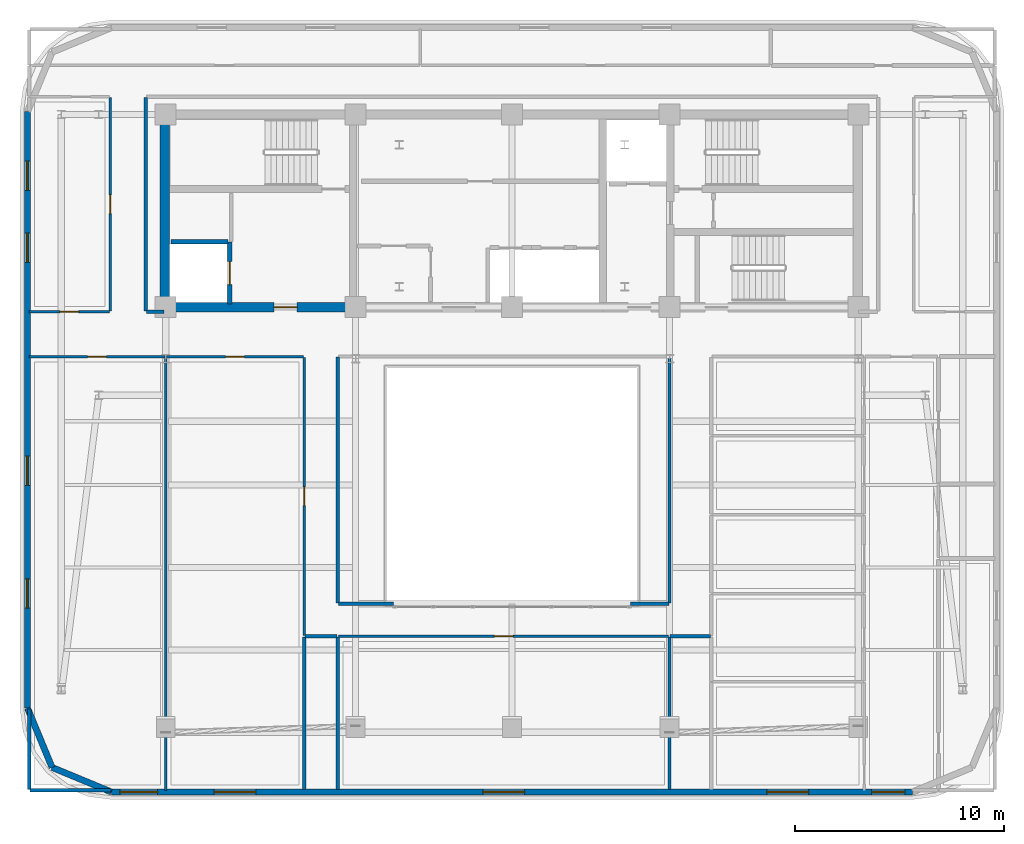
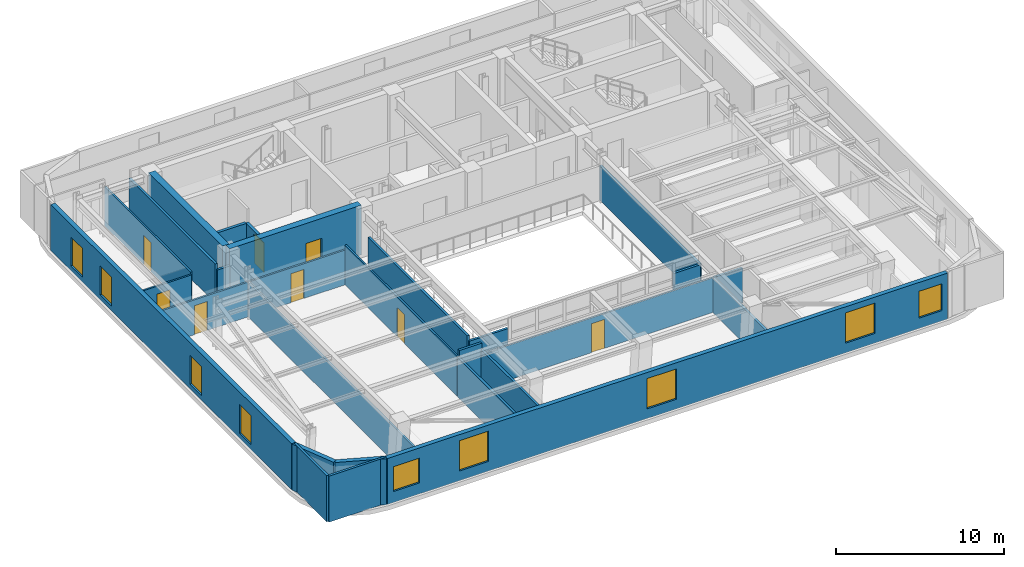
# One storey, part 6 of 13: 28 walls, 9 windows, 8 doors, 17 openings.
"""IFC4 building model written with IfcOpenShell, lengths in metres."""

from ifc_helpers import new_model, si_unit, direction, frame, frame_2d, origin, place, context, subcontext, project, spatial, rectangle, extrude, material, layer, layer_set, type_object, element, fill, save


model = new_model("IFC4")

# Units and contexts
model_context = context("Model", 3, precision=1e-05, world=origin(), true_north=direction((0.0, 1.0)))
body_context = subcontext(model_context, "Body", "Model", "MODEL_VIEW")
ifc_project = project(units=[si_unit("LENGTHUNIT", "METRE"), si_unit("AREAUNIT", "SQUARE_METRE"), si_unit("VOLUMEUNIT", "CUBIC_METRE"), si_unit("PLANEANGLEUNIT", "RADIAN"), si_unit("MASSUNIT", "GRAM", prefix="KILO")], contexts=[model_context])

# Site, building, storey
site_placement = place(None, origin())
site = spatial("IfcSite", under=ifc_project, at=site_placement, CompositionType="ELEMENT")
building_placement = place(site_placement, origin())
building = spatial("IfcBuilding", under=site, at=building_placement, Name="Zarnavel Station Tower", CompositionType="ELEMENT")
storey_placement = place(building_placement, frame((0.0, 0.0, 204.0)))
storey = spatial("IfcBuildingStorey", under=building, at=storey_placement, Name="L55", CompositionType="ELEMENT", Elevation=204.0)

# Wall, opening, door
ifc_material_1 = material(Name="Concrete C50/60", Category="concrete")
ifc_layer_1 = layer(ifc_material_1, 0.449951171875)
ifc_layer_set_1 = layer_set([ifc_layer_1], Name="CW_450")
wall_type_1 = type_object("IfcWallType", Name="CW_450", PredefinedType="SHEAR", material=ifc_layer_set_1)
wall_1_placement = place(storey_placement, frame((21.179931640625, 27.820068359375, 0.0), z_axis=(0.0, 0.0, 1.0), x_axis=(-1.0, 0.0, 0.0)))
wall_1 = element("IfcWall", 1, at=wall_1_placement, inside=storey, type_object=wall_type_1, Name="L55 Rear Core Shear Wall S-W", PredefinedType="SHEAR", context=body_context, shape_type="SweptSolid", body=[
    extrude(rectangle(XDim=9.030029296875, YDim=0.449951171875, at=frame_2d((4.51513671875, 0.0))), origin(), (0.0, 0.0, 1.0), 3.60009765625),
])
opening_1_placement = place(wall_1_placement, frame((2.679931640625, 0.0, 0.0)))
opening_1 = element("IfcOpeningElement", 2, at=opening_1_placement, cuts=wall_1, Name="Opening FD01", PredefinedType="OPENING", context=body_context, shape_type="SweptSolid", body=[
    extrude(rectangle(XDim=1.10009765625, YDim=2.14990234375, at=frame_2d((0.550048828125, 1.074951171875))), frame((0.0, 0.23486328125, 0.0), z_axis=(0.0, -1.0, 0.0), x_axis=(1.0, 0.0, 0.0)), (0.0, 0.0, 1.0), 0.469970703125),
])
ifc_material_2 = material(Name="Painted Galvanised Steel and Hardwood Leaf", Category="steel")
door_type_1 = type_object("IfcDoorType", Name="ID_STAIR_1100", OperationType="NOTDEFINED", PredefinedType="DOOR", material=ifc_material_2)
door_1_placement = place(opening_1_placement, origin())
door_1 = element("IfcDoor", 3, at=door_1_placement, inside=storey, type_object=door_type_1, Name="L55 West Firefighting Lobby Door", OperationType="SINGLE_SWING_RIGHT", OverallHeight=2.14990234375, OverallWidth=1.10009765625, PredefinedType="DOOR", context=body_context, shape_type="SweptSolid", body=[
    extrude(rectangle(XDim=1.10009765625, YDim=2.14990234375, at=frame_2d((0.550048828125, 1.074951171875))), frame((0.0, 0.02490234375, 0.0), z_axis=(0.0, -1.0, 0.0), x_axis=(1.0, 0.0, 0.0)), (0.0, 0.0, 1.0), 0.050048828125),
])
fill(opening_1, door_1)

# Wall
wall_2_placement = place(storey_placement, frame((12.14990234375, 28.044921875, 0.0), z_axis=(0.0, 0.0, 1.0), x_axis=(0.0, 1.0, 0.0)))
element("IfcWall", 4, at=wall_2_placement, inside=storey, type_object=wall_type_1, Name="L55 Rear Core Shear Wall W", PredefinedType="SHEAR", context=body_context, shape_type="SweptSolid", body=[
    extrude(rectangle(XDim=8.780029296875, YDim=0.449951171875, at=frame_2d((4.39013671875, 0.0))), origin(), (0.0, 0.0, 1.0), 3.60009765625),
])

# Wall, openings, windows
ifc_material_3 = material(Name="Precast concrete C45/55 (Dark Basalt Finish)", Category="masonry")
ifc_layer_2 = layer(ifc_material_3, 0.300048828125)
ifc_layer_set_2 = layer_set([ifc_layer_2], Name="EW_BASALT_300")
wall_type_2 = type_object("IfcWallType", Name="EW_BASALT_300", PredefinedType="SOLIDWALL", material=ifc_layer_set_2)
wall_3_placement = place(storey_placement, frame((5.580078125, 8.60009765625, 0.0), z_axis=(0.0, 0.0, 1.0), x_axis=(0.0, 1.0, 0.0)))
wall_3 = element("IfcWall", 5, at=wall_3_placement, inside=storey, type_object=wall_type_2, Name="L55 Exterior Basalt Masonry Frame Wall 09", PredefinedType="SOLIDWALL", context=body_context, shape_type="SweptSolid", body=[
    extrude(rectangle(XDim=28.599853515625, YDim=0.300048828125, at=frame_2d((14.2998046875, 0.0))), origin(), (0.0, 0.0, 1.0), 3.340087890625),
])
opening_2_placement = place(wall_3_placement, frame((21.360107421875, 0.0, 0.340087890625)))
opening_2 = element("IfcOpeningElement", 6, at=opening_2_placement, cuts=wall_3, Name="Opening WN04", PredefinedType="OPENING", context=body_context, shape_type="SweptSolid", body=[
    extrude(rectangle(XDim=1.39990234375, YDim=2.10009765625, at=frame_2d((0.699951171875, 1.050048828125))), frame((0.0, 0.159912109375, 0.0), z_axis=(0.0, -1.0, 0.0), x_axis=(1.0, 0.0, 0.0)), (0.0, 0.0, 1.0), 0.320068359375),
])
opening_3_placement = place(wall_3_placement, frame((24.820068359375, 0.0, 0.340087890625)))
opening_3 = element("IfcOpeningElement", 7, at=opening_3_placement, cuts=wall_3, Name="Opening WN04", PredefinedType="OPENING", context=body_context, shape_type="SweptSolid", body=[
    extrude(rectangle(XDim=1.39990234375, YDim=2.10009765625, at=frame_2d((0.699951171875, 1.050048828125))), frame((0.0, 0.159912109375, 0.0), z_axis=(0.0, -1.0, 0.0), x_axis=(1.0, 0.0, 0.0)), (0.0, 0.0, 1.0), 0.320068359375),
])
opening_4_placement = place(wall_3_placement, frame((4.796630859375, 0.0, 0.340087890625)))
opening_4 = element("IfcOpeningElement", 8, at=opening_4_placement, cuts=wall_3, Name="Opening WN04", PredefinedType="OPENING", context=body_context, shape_type="SweptSolid", body=[
    extrude(rectangle(XDim=1.39990234375, YDim=2.10009765625, at=frame_2d((0.699951171875, 1.050048828125))), frame((0.0, 0.159912109375, 0.0), z_axis=(0.0, -1.0, 0.0), x_axis=(1.0, 0.0, 0.0)), (0.0, 0.0, 1.0), 0.320068359375),
])
opening_5_placement = place(wall_3_placement, frame((10.67333984375, 0.0, 0.340087890625)))
opening_5 = element("IfcOpeningElement", 9, at=opening_5_placement, cuts=wall_3, Name="Opening WN04", PredefinedType="OPENING", context=body_context, shape_type="SweptSolid", body=[
    extrude(rectangle(XDim=1.39990234375, YDim=2.10009765625, at=frame_2d((0.699951171875, 1.050048828125))), frame((0.0, 0.159912109375, 0.0), z_axis=(0.0, -1.0, 0.0), x_axis=(1.0, 0.0, 0.0)), (0.0, 0.0, 1.0), 0.320068359375),
])
ifc_material_4 = material(Name="Thermally Broken Black Aluminium and Low-E Dark Glass", Category="aluminium")
window_type_1 = type_object("IfcWindowType", Name="WN_1400x2100", PartitioningType="DOUBLE_PANEL_VERTICAL", PredefinedType="WINDOW", material=ifc_material_4)
window_1_placement = place(opening_2_placement, origin())
window_1 = element("IfcWindow", 10, at=window_1_placement, inside=storey, type_object=window_type_1, Name="L55 Recessed Facade Window 01", OverallHeight=2.10009765625, OverallWidth=1.39990234375, PartitioningType="SINGLE_PANEL", PredefinedType="WINDOW", context=body_context, shape_type="SweptSolid", body=[
    extrude(rectangle(XDim=1.39990234375, YDim=2.10009765625, at=frame_2d((0.699951171875, 1.050048828125))), frame((0.0, 0.030029296875, 0.0), z_axis=(0.0, -1.0, 0.0), x_axis=(1.0, 0.0, 0.0)), (0.0, 0.0, 1.0), 0.06005859375),
])
fill(opening_2, window_1)
window_2_placement = place(opening_3_placement, origin())
window_2 = element("IfcWindow", 11, at=window_2_placement, inside=storey, type_object=window_type_1, Name="L55 Recessed Facade Window 02", OverallHeight=2.10009765625, OverallWidth=1.39990234375, PartitioningType="SINGLE_PANEL", PredefinedType="WINDOW", context=body_context, shape_type="SweptSolid", body=[
    extrude(rectangle(XDim=1.39990234375, YDim=2.10009765625, at=frame_2d((0.699951171875, 1.050048828125))), frame((0.0, 0.030029296875, 0.0), z_axis=(0.0, -1.0, 0.0), x_axis=(1.0, 0.0, 0.0)), (0.0, 0.0, 1.0), 0.06005859375),
])
fill(opening_3, window_2)
window_3_placement = place(opening_4_placement, origin())
window_3 = element("IfcWindow", 12, at=window_3_placement, inside=storey, type_object=window_type_1, Name="L55 Recessed Facade Window 03", OverallHeight=2.10009765625, OverallWidth=1.39990234375, PartitioningType="SINGLE_PANEL", PredefinedType="WINDOW", context=body_context, shape_type="SweptSolid", body=[
    extrude(rectangle(XDim=1.39990234375, YDim=2.10009765625, at=frame_2d((0.699951171875, 1.050048828125))), frame((0.0, 0.030029296875, 0.0), z_axis=(0.0, -1.0, 0.0), x_axis=(1.0, 0.0, 0.0)), (0.0, 0.0, 1.0), 0.06005859375),
])
fill(opening_4, window_3)
window_4_placement = place(opening_5_placement, origin())
window_4 = element("IfcWindow", 13, at=window_4_placement, inside=storey, type_object=window_type_1, Name="L55 Recessed Facade Window 04", OverallHeight=2.10009765625, OverallWidth=1.39990234375, PartitioningType="SINGLE_PANEL", PredefinedType="WINDOW", context=body_context, shape_type="SweptSolid", body=[
    extrude(rectangle(XDim=1.39990234375, YDim=2.10009765625, at=frame_2d((0.699951171875, 1.050048828125))), frame((0.0, 0.030029296875, 0.0), z_axis=(0.0, -1.0, 0.0), x_axis=(1.0, 0.0, 0.0)), (0.0, 0.0, 1.0), 0.06005859375),
])
fill(opening_5, window_4)

# Walls
for number, where, z_axis, x_axis, name in (
    (14, (6.75732421875, 5.75732421875, 0.0), (0.0, 0.0, 1.0), (-0.382608747773, 0.923910464346, 0.0), "L55 Exterior Basalt Masonry Frame Wall 10"),
    (15, (9.60009765625, 4.580078125, 0.0), (0.0, 0.0, 1.0), (-0.923910464346, 0.382608747773, 0.0), "L55 Exterior Basalt Masonry Frame Wall 11"),
):
    element("IfcWall", number, at=place(storey_placement, frame(where, z_axis=z_axis, x_axis=x_axis)), inside=storey, type_object=wall_type_2, Name=name, PredefinedType="SOLIDWALL", context=body_context, shape_type="SweptSolid", body=[
        extrude(rectangle(XDim=3.076904296875, YDim=0.300048828125, at=frame_2d((1.53857421875, 0.0))), origin(), (0.0, 0.0, 1.0), 3.340087890625),
    ])

# Wall, openings, windows
wall_4_placement = place(storey_placement, frame((48.0, 4.580078125, 0.0), z_axis=(0.0, 0.0, 1.0), x_axis=(-1.0, 0.0, 0.0)))
wall_4 = element("IfcWall", 16, at=wall_4_placement, inside=storey, type_object=wall_type_2, Name="L55 Exterior Basalt Masonry Frame Wall 12", PredefinedType="SOLIDWALL", context=body_context, shape_type="SweptSolid", body=[
    extrude(rectangle(XDim=38.39990234375, YDim=0.300048828125, at=frame_2d((19.199951171875, 0.0))), origin(), (0.0, 0.0, 1.0), 3.340087890625),
])
opening_6_placement = place(wall_4_placement, frame((36.18994140625, 0.0, 0.800048828125)))
opening_6 = element("IfcOpeningElement", 17, at=opening_6_placement, cuts=wall_4, Name="Opening WN02", PredefinedType="OPENING", context=body_context, shape_type="SweptSolid", body=[
    extrude(rectangle(XDim=1.800048828125, YDim=1.800048828125, at=frame_2d((0.89990234375, 0.89990234375))), frame((0.0, 0.159912109375, 0.0), z_axis=(0.0, -1.0, 0.0), x_axis=(1.0, 0.0, 0.0)), (0.0, 0.0, 1.0), 0.320068359375),
])
opening_7_placement = place(wall_4_placement, frame((31.47509765625, 0.0, 0.699951171875)))
opening_7 = element("IfcOpeningElement", 18, at=opening_7_placement, cuts=wall_4, Name="Opening WN07", PredefinedType="OPENING", context=body_context, shape_type="SweptSolid", body=[
    extrude(rectangle(XDim=2.0, YDim=2.199951171875, at=frame_2d((1.0, 1.10009765625))), frame((0.0, 0.159912109375, 0.0), z_axis=(0.0, -1.0, 0.0), x_axis=(1.0, 0.0, 0.0)), (0.0, 0.0, 1.0), 0.320068359375),
])
opening_8_placement = place(wall_4_placement, frame((18.60009765625, 0.0, 0.699951171875)))
opening_8 = element("IfcOpeningElement", 19, at=opening_8_placement, cuts=wall_4, Name="Opening WN07", PredefinedType="OPENING", context=body_context, shape_type="SweptSolid", body=[
    extrude(rectangle(XDim=2.0, YDim=2.199951171875, at=frame_2d((1.0, 1.10009765625))), frame((0.0, 0.159912109375, 0.0), z_axis=(0.0, -1.0, 0.0), x_axis=(1.0, 0.0, 0.0)), (0.0, 0.0, 1.0), 0.320068359375),
])
opening_9_placement = place(wall_4_placement, frame((0.369384765625, 0.0, 0.75)))
opening_9 = element("IfcOpeningElement", 20, at=opening_9_placement, cuts=wall_4, Name="Opening WN06", PredefinedType="OPENING", context=body_context, shape_type="SweptSolid", body=[
    extrude(rectangle(XDim=1.60009765625, YDim=1.949951171875, at=frame_2d((0.800048828125, 0.97509765625))), frame((0.0, 0.159912109375, 0.0), z_axis=(0.0, -1.0, 0.0), x_axis=(1.0, 0.0, 0.0)), (0.0, 0.0, 1.0), 0.320068359375),
])
opening_10_placement = place(wall_4_placement, frame((4.984619140625, 0.0, 0.699951171875)))
opening_10 = element("IfcOpeningElement", 21, at=opening_10_placement, cuts=wall_4, Name="Opening WN07", PredefinedType="OPENING", context=body_context, shape_type="SweptSolid", body=[
    extrude(rectangle(XDim=2.0, YDim=2.199951171875, at=frame_2d((1.0, 1.10009765625))), frame((0.0, 0.159912109375, 0.0), z_axis=(0.0, -1.0, 0.0), x_axis=(1.0, 0.0, 0.0)), (0.0, 0.0, 1.0), 0.320068359375),
])
ifc_material_5 = material(Name="Thermally Broken Black Aluminium and Low-E Dark Glass", Category="aluminium")
window_type_2 = type_object("IfcWindowType", Name="WN_1600x1950", PartitioningType="DOUBLE_PANEL_VERTICAL", PredefinedType="WINDOW", material=ifc_material_5)
window_5_placement = place(opening_9_placement, origin())
window_5 = element("IfcWindow", 22, at=window_5_placement, inside=storey, type_object=window_type_2, Name="L55 Recessed Facade Window 04", OverallHeight=1.949951171875, OverallWidth=1.60009765625, PartitioningType="SINGLE_PANEL", PredefinedType="WINDOW", context=body_context, shape_type="SweptSolid", body=[
    extrude(rectangle(XDim=1.60009765625, YDim=1.949951171875, at=frame_2d((0.800048828125, 0.97509765625))), frame((0.0, 0.030029296875, 0.0), z_axis=(0.0, -1.0, 0.0), x_axis=(1.0, 0.0, 0.0)), (0.0, 0.0, 1.0), 0.06005859375),
])
fill(opening_9, window_5)
ifc_material_6 = material(Name="Thermally Broken Black Aluminium and Low-E Dark Glass", Category="aluminium")
window_type_3 = type_object("IfcWindowType", Name="WN_1800x1800", PartitioningType="DOUBLE_PANEL_VERTICAL", PredefinedType="WINDOW", material=ifc_material_6)
window_6_placement = place(opening_6_placement, origin())
window_6 = element("IfcWindow", 23, at=window_6_placement, inside=storey, type_object=window_type_3, Name="L55 Recessed Facade Window 01", OverallHeight=1.800048828125, OverallWidth=1.800048828125, PartitioningType="SINGLE_PANEL", PredefinedType="WINDOW", context=body_context, shape_type="SweptSolid", body=[
    extrude(rectangle(XDim=1.800048828125, YDim=1.800048828125, at=frame_2d((0.89990234375, 0.89990234375))), frame((0.0, 0.030029296875, 0.0), z_axis=(0.0, -1.0, 0.0), x_axis=(1.0, 0.0, 0.0)), (0.0, 0.0, 1.0), 0.06005859375),
])
fill(opening_6, window_6)
ifc_material_7 = material(Name="Thermally Broken Black Aluminium and Low-E Dark Glass", Category="aluminium")
window_type_4 = type_object("IfcWindowType", Name="WN_2000x2200", PartitioningType="TRIPLE_PANEL_VERTICAL", PredefinedType="WINDOW", material=ifc_material_7)
window_7_placement = place(opening_7_placement, origin())
window_7 = element("IfcWindow", 24, at=window_7_placement, inside=storey, type_object=window_type_4, Name="L55 Recessed Facade Window 02", OverallHeight=2.199951171875, OverallWidth=2.0, PartitioningType="SINGLE_PANEL", PredefinedType="WINDOW", context=body_context, shape_type="SweptSolid", body=[
    extrude(rectangle(XDim=2.0, YDim=2.199951171875, at=frame_2d((1.0, 1.10009765625))), frame((0.0, 0.030029296875, 0.0), z_axis=(0.0, -1.0, 0.0), x_axis=(1.0, 0.0, 0.0)), (0.0, 0.0, 1.0), 0.06005859375),
])
fill(opening_7, window_7)
window_8_placement = place(opening_8_placement, origin())
window_8 = element("IfcWindow", 25, at=window_8_placement, inside=storey, type_object=window_type_4, Name="L55 Recessed Facade Window 03", OverallHeight=2.199951171875, OverallWidth=2.0, PartitioningType="SINGLE_PANEL", PredefinedType="WINDOW", context=body_context, shape_type="SweptSolid", body=[
    extrude(rectangle(XDim=2.0, YDim=2.199951171875, at=frame_2d((1.0, 1.10009765625))), frame((0.0, 0.030029296875, 0.0), z_axis=(0.0, -1.0, 0.0), x_axis=(1.0, 0.0, 0.0)), (0.0, 0.0, 1.0), 0.06005859375),
])
fill(opening_8, window_8)
window_9_placement = place(opening_10_placement, origin())
window_9 = element("IfcWindow", 26, at=window_9_placement, inside=storey, type_object=window_type_4, Name="L55 Recessed Facade Window 05", OverallHeight=2.199951171875, OverallWidth=2.0, PartitioningType="SINGLE_PANEL", PredefinedType="WINDOW", context=body_context, shape_type="SweptSolid", body=[
    extrude(rectangle(XDim=2.0, YDim=2.199951171875, at=frame_2d((1.0, 1.10009765625))), frame((0.0, 0.030029296875, 0.0), z_axis=(0.0, -1.0, 0.0), x_axis=(1.0, 0.0, 0.0)), (0.0, 0.0, 1.0), 0.06005859375),
])
fill(opening_10, window_9)

# Walls
ifc_material_8 = material(Name="Gypsum Twin-Stud Acoustic Fire Partition", Category="concrete")
ifc_layer_3 = layer(ifc_material_8, 0.159912109375)
ifc_layer_set_3 = layer_set([ifc_layer_3], Name="PT_DEMISE_160")
wall_type_3 = type_object("IfcWallType", Name="PT_DEMISE_160", PredefinedType="PARTITIONING", material=ifc_layer_set_3)
wall_5_placement = place(storey_placement, frame((11.280029296875, 27.60009765625, 0.0), z_axis=(0.0, 0.0, 1.0), x_axis=(1.0, 0.0, 0.0)))
element("IfcWall", 27, at=wall_5_placement, inside=storey, type_object=wall_type_3, Name="L55 Enclosure Wall COR-S", PredefinedType="PARTITIONING", context=body_context, shape_type="SweptSolid", body=[
    extrude(rectangle(XDim=0.840087890625, YDim=0.159912109375, at=frame_2d((0.419921875, 0.0))), origin(), (0.0, 0.0, 1.0), 2.409912109375),
])
wall_6_placement = place(storey_placement, frame((18.8798828125, 12.050048828125, 0.0), z_axis=(0.0, 0.0, 1.0), x_axis=(1.0, 0.0, 0.0)))
element("IfcWall", 28, at=wall_6_placement, inside=storey, type_object=wall_type_3, Name="L55 Enclosure Wall COR-AW", PredefinedType="PARTITIONING", context=body_context, shape_type="SweptSolid", body=[
    extrude(rectangle(XDim=1.5400390625, YDim=0.159912109375, at=frame_2d((0.77001953125, 0.0))), origin(), (0.0, 0.0, 1.0), 3.340087890625),
])
wall_7_placement = place(storey_placement, frame((20.449951171875, 13.6298828125, 0.0), z_axis=(0.0, 0.0, 1.0), x_axis=(0.0, 1.0, 0.0)))
element("IfcWall", 29, at=wall_7_placement, inside=storey, type_object=wall_type_3, Name="L55 Enclosure Wall COR-AW", PredefinedType="PARTITIONING", context=body_context, shape_type="SweptSolid", body=[
    extrude(rectangle(XDim=11.7900390625, YDim=0.159912109375, at=frame_2d((5.89501953125, 0.0))), origin(), (0.0, 0.0, 1.0), 2.8798828125),
])
wall_8_placement = place(storey_placement, frame((36.3798828125, 12.050048828125, 0.0), z_axis=(0.0, 0.0, 1.0), x_axis=(1.0, 0.0, 0.0)))
element("IfcWall", 30, at=wall_8_placement, inside=storey, type_object=wall_type_3, Name="L55 Enclosure Wall COR-AE", PredefinedType="PARTITIONING", context=body_context, shape_type="SweptSolid", body=[
    extrude(rectangle(XDim=1.940185546875, YDim=0.159912109375, at=frame_2d((0.97021484375, 0.0))), origin(), (0.0, 0.0, 1.0), 2.52001953125),
])
wall_9_placement = place(storey_placement, frame((36.35009765625, 13.6298828125, 0.0), z_axis=(0.0, 0.0, 1.0), x_axis=(0.0, 1.0, 0.0)))
element("IfcWall", 31, at=wall_9_placement, inside=storey, type_object=wall_type_3, Name="L55 Enclosure Wall COR-AE", PredefinedType="PARTITIONING", context=body_context, shape_type="SweptSolid", body=[
    extrude(rectangle(XDim=11.7900390625, YDim=0.159912109375, at=frame_2d((5.89501953125, 0.0))), origin(), (0.0, 0.0, 1.0), 2.52001953125),
])
wall_10_placement = place(storey_placement, frame((20.47998046875, 13.60009765625, 0.0), z_axis=(0.0, 0.0, 1.0), x_axis=(1.0, 0.0, 0.0)))
element("IfcWall", 32, at=wall_10_placement, inside=storey, type_object=wall_type_3, Name="L55 Enclosure Wall COR-AS", PredefinedType="PARTITIONING", context=body_context, shape_type="SweptSolid", body=[
    extrude(rectangle(XDim=2.64013671875, YDim=0.159912109375, at=frame_2d((1.320068359375, 0.0))), origin(), (0.0, 0.0, 1.0), 2.52001953125),
])
wall_11_placement = place(storey_placement, frame((34.47998046875, 13.60009765625, 0.0), z_axis=(0.0, 0.0, 1.0), x_axis=(1.0, 0.0, 0.0)))
element("IfcWall", 33, at=wall_11_placement, inside=storey, type_object=wall_type_3, Name="L55 Enclosure Wall COR-AS", PredefinedType="PARTITIONING", context=body_context, shape_type="SweptSolid", body=[
    extrude(rectangle(XDim=1.840087890625, YDim=0.159912109375, at=frame_2d((0.919921875, 0.0))), origin(), (0.0, 0.0, 1.0), 2.52001953125),
])
wall_12_placement = place(storey_placement, frame((11.25, 27.6298828125, 0.0), z_axis=(0.0, 0.0, 1.0), x_axis=(0.0, 1.0, 0.0)))
element("IfcWall", 34, at=wall_12_placement, inside=storey, type_object=wall_type_3, Name="L55 Enclosure Wall COR-W", PredefinedType="PARTITIONING", context=body_context, shape_type="SweptSolid", body=[
    extrude(rectangle(XDim=10.240234375, YDim=0.159912109375, at=frame_2d((5.1201171875, 0.0))), origin(), (0.0, 0.0, 1.0), 2.820068359375),
])
for number, where, z_axis, x_axis, name in (
    (35, (5.68994140625, 4.659912109375, 0.0), (0.0, 0.0, 1.0), (1.0, 0.0, 0.0), "L55 Enclosure Wall L55CIN"),
    (36, (5.659912109375, 4.68994140625, 0.0), (0.0, 0.0, 1.0), (0.0, 1.0, 0.0), "L55 Enclosure Wall L55CIN"),
):
    element("IfcWall", number, at=place(storey_placement, frame(where, z_axis=z_axis, x_axis=x_axis)), inside=storey, type_object=wall_type_3, Name=name, PredefinedType="PARTITIONING", context=body_context, shape_type="SweptSolid", body=[
        extrude(rectangle(XDim=3.880126953125, YDim=0.159912109375, at=frame_2d((1.93994140625, 0.0))), origin(), (0.0, 0.0, 1.0), 3.340087890625),
    ])
for number, where, z_axis, x_axis, name in (
    (37, (18.85009765625, 4.68994140625, 0.0), (0.0, 0.0, 1.0), (0.0, 1.0, 0.0), "L55 Enclosure Wall L55MUS"),
    (38, (20.449951171875, 4.68994140625, 0.0), (0.0, 0.0, 1.0), (0.0, 1.0, 0.0), "L55 Enclosure Wall L55TEA"),
):
    element("IfcWall", number, at=place(storey_placement, frame(where, z_axis=z_axis, x_axis=x_axis)), inside=storey, type_object=wall_type_3, Name=name, PredefinedType="PARTITIONING", context=body_context, shape_type="SweptSolid", body=[
        extrude(rectangle(XDim=7.330078125, YDim=0.159912109375, at=frame_2d((3.6650390625, 0.0))), origin(), (0.0, 0.0, 1.0), 2.8798828125),
    ])
wall_13_placement = place(storey_placement, frame((36.35009765625, 4.68994140625, 0.0), z_axis=(0.0, 0.0, 1.0), x_axis=(0.0, 1.0, 0.0)))
element("IfcWall", 39, at=wall_13_placement, inside=storey, type_object=wall_type_3, Name="L55 Enclosure Wall L55TEA", PredefinedType="PARTITIONING", context=body_context, shape_type="SweptSolid", body=[
    extrude(rectangle(XDim=7.330078125, YDim=0.159912109375, at=frame_2d((3.6650390625, 0.0))), origin(), (0.0, 0.0, 1.0), 2.52001953125),
])

# Wall, opening, door
ifc_material_9 = material(Name="Gypsum Metal-Stud Interior Partition", Category="concrete")
ifc_layer_4 = layer(ifc_material_9, 0.1201171875)
ifc_layer_set_4 = layer_set([ifc_layer_4], Name="PT_ROOM_120")
wall_type_4 = type_object("IfcWallType", Name="PT_ROOM_120", PredefinedType="PARTITIONING", material=ifc_layer_set_4)
wall_14_placement = place(storey_placement, frame((5.659912109375, 27.60009765625, 0.0), z_axis=(0.0, 0.0, 1.0), x_axis=(1.0, 0.0, 0.0)))
wall_14 = element("IfcWall", 40, at=wall_14_placement, inside=storey, type_object=wall_type_4, Name="L55 Partition COR-S-FNW", PredefinedType="PARTITIONING", context=body_context, shape_type="SweptSolid", body=[
    extrude(rectangle(XDim=3.85009765625, YDim=0.1201171875, at=frame_2d((1.925048828125, 0.0))), origin(), (0.0, 0.0, 1.0), 2.669921875),
])
opening_11_placement = place(wall_14_placement, frame((1.47509765625, 0.0, 0.0)))
opening_11 = element("IfcOpeningElement", 41, at=opening_11_placement, cuts=wall_14, Name="Opening ID01", PredefinedType="OPENING", context=body_context, shape_type="SweptSolid", body=[
    extrude(rectangle(XDim=0.89990234375, YDim=2.10009765625, at=frame_2d((0.449951171875, 1.050048828125))), frame((0.0, 0.070068359375, 0.0), z_axis=(0.0, -1.0, 0.0), x_axis=(1.0, 0.0, 0.0)), (0.0, 0.0, 1.0), 0.14013671875),
])
ifc_material_10 = material(Name="Painted Galvanised Steel and Hardwood Leaf", Category="steel")
door_type_2 = type_object("IfcDoorType", Name="ID_ROOM_900", OperationType="NOTDEFINED", PredefinedType="DOOR", material=ifc_material_10)
door_2_placement = place(opening_11_placement, origin())
door_2 = element("IfcDoor", 42, at=door_2_placement, inside=storey, type_object=door_type_2, Name="L55 Door COR-S-FNW", OperationType="SINGLE_SWING_RIGHT", OverallHeight=2.10009765625, OverallWidth=0.89990234375, PredefinedType="DOOR", context=body_context, shape_type="SweptSolid", body=[
    extrude(rectangle(XDim=0.89990234375, YDim=2.10009765625, at=frame_2d((0.449951171875, 1.050048828125))), frame((0.0, 0.02490234375, 0.0), z_axis=(0.0, -1.0, 0.0), x_axis=(1.0, 0.0, 0.0)), (0.0, 0.0, 1.0), 0.050048828125),
])
fill(opening_11, door_2)

wall_15_placement = place(storey_placement, frame((5.659912109375, 25.449951171875, 0.0), z_axis=(0.0, 0.0, 1.0), x_axis=(1.0, 0.0, 0.0)))
wall_15 = element("IfcWall", 43, at=wall_15_placement, inside=storey, type_object=wall_type_4, Name="L55 Partition COR-S-L55CIN", PredefinedType="PARTITIONING", context=body_context, shape_type="SweptSolid", body=[
    extrude(rectangle(XDim=6.5, YDim=0.1201171875, at=frame_2d((3.25, 0.0))), origin(), (0.0, 0.0, 1.0), 2.52001953125),
])
opening_12_placement = place(wall_15_placement, frame((2.800048828125, 0.0, 0.0)))
opening_12 = element("IfcOpeningElement", 44, at=opening_12_placement, cuts=wall_15, Name="Opening ID01", PredefinedType="OPENING", context=body_context, shape_type="SweptSolid", body=[
    extrude(rectangle(XDim=0.89990234375, YDim=2.10009765625, at=frame_2d((0.449951171875, 1.050048828125))), frame((0.0, 0.070068359375, 0.0), z_axis=(0.0, -1.0, 0.0), x_axis=(1.0, 0.0, 0.0)), (0.0, 0.0, 1.0), 0.14013671875),
])
door_3_placement = place(opening_12_placement, origin())
door_3 = element("IfcDoor", 45, at=door_3_placement, inside=storey, type_object=door_type_2, Name="L55 Door COR-S-L55CIN", OperationType="SINGLE_SWING_RIGHT", OverallHeight=2.10009765625, OverallWidth=0.89990234375, PredefinedType="DOOR", context=body_context, shape_type="SweptSolid", body=[
    extrude(rectangle(XDim=0.89990234375, YDim=2.10009765625, at=frame_2d((0.449951171875, 1.050048828125))), frame((0.0, 0.02490234375, 0.0), z_axis=(0.0, -1.0, 0.0), x_axis=(1.0, 0.0, 0.0)), (0.0, 0.0, 1.0), 0.050048828125),
])
fill(opening_12, door_3)

wall_16_placement = place(storey_placement, frame((12.239990234375, 25.449951171875, 0.0), z_axis=(0.0, 0.0, 1.0), x_axis=(1.0, 0.0, 0.0)))
wall_16 = element("IfcWall", 46, at=wall_16_placement, inside=storey, type_object=wall_type_4, Name="L55 Partition COR-S-L55MUS", PredefinedType="PARTITIONING", context=body_context, shape_type="SweptSolid", body=[
    extrude(rectangle(XDim=6.570068359375, YDim=0.1201171875, at=frame_2d((3.28515625, 0.0))), origin(), (0.0, 0.0, 1.0), 2.52001953125),
])
opening_13_placement = place(wall_16_placement, frame((2.8349609375, 0.0, 0.0)))
opening_13 = element("IfcOpeningElement", 47, at=opening_13_placement, cuts=wall_16, Name="Opening ID01", PredefinedType="OPENING", context=body_context, shape_type="SweptSolid", body=[
    extrude(rectangle(XDim=0.89990234375, YDim=2.10009765625, at=frame_2d((0.449951171875, 1.050048828125))), frame((0.0, 0.070068359375, 0.0), z_axis=(0.0, -1.0, 0.0), x_axis=(1.0, 0.0, 0.0)), (0.0, 0.0, 1.0), 0.14013671875),
])
door_4_placement = place(opening_13_placement, origin())
door_4 = element("IfcDoor", 48, at=door_4_placement, inside=storey, type_object=door_type_2, Name="L55 Door COR-S-L55MUS", OperationType="SINGLE_SWING_LEFT", OverallHeight=2.10009765625, OverallWidth=0.89990234375, PredefinedType="DOOR", context=body_context, shape_type="SweptSolid", body=[
    extrude(rectangle(XDim=0.89990234375, YDim=2.10009765625, at=frame_2d((0.449951171875, 1.050048828125))), frame((0.0, 0.02490234375, 0.0), z_axis=(0.0, -1.0, 0.0), x_axis=(1.0, 0.0, 0.0)), (0.0, 0.0, 1.0), 0.050048828125),
])
fill(opening_13, door_4)

wall_17_placement = place(storey_placement, frame((18.85009765625, 12.090087890625, 0.0), z_axis=(0.0, 0.0, 1.0), x_axis=(0.0, 1.0, 0.0)))
wall_17 = element("IfcWall", 49, at=wall_17_placement, inside=storey, type_object=wall_type_4, Name="L55 Partition COR-AW-L55MUS", PredefinedType="PARTITIONING", context=body_context, shape_type="SweptSolid", body=[
    extrude(rectangle(XDim=13.31982421875, YDim=0.1201171875, at=frame_2d((6.659912109375, 0.0))), origin(), (0.0, 0.0, 1.0), 2.8798828125),
])
opening_14_placement = place(wall_17_placement, frame((6.2099609375, 0.0, 0.0)))
opening_14 = element("IfcOpeningElement", 50, at=opening_14_placement, cuts=wall_17, Name="Opening ID01", PredefinedType="OPENING", context=body_context, shape_type="SweptSolid", body=[
    extrude(rectangle(XDim=0.89990234375, YDim=2.10009765625, at=frame_2d((0.449951171875, 1.050048828125))), frame((0.0, 0.070068359375, 0.0), z_axis=(0.0, -1.0, 0.0), x_axis=(1.0, 0.0, 0.0)), (0.0, 0.0, 1.0), 0.14013671875),
])
door_5_placement = place(opening_14_placement, origin())
door_5 = element("IfcDoor", 51, at=door_5_placement, inside=storey, type_object=door_type_2, Name="L55 Door COR-AW-L55MUS", OperationType="SINGLE_SWING_LEFT", OverallHeight=2.10009765625, OverallWidth=0.89990234375, PredefinedType="DOOR", context=body_context, shape_type="SweptSolid", body=[
    extrude(rectangle(XDim=0.89990234375, YDim=2.10009765625, at=frame_2d((0.449951171875, 1.050048828125))), frame((0.0, 0.02490234375, 0.0), z_axis=(0.0, -1.0, 0.0), x_axis=(1.0, 0.0, 0.0)), (0.0, 0.0, 1.0), 0.050048828125),
])
fill(opening_14, door_5)

wall_18_placement = place(storey_placement, frame((20.489990234375, 12.050048828125, 0.0), z_axis=(0.0, 0.0, 1.0), x_axis=(1.0, 0.0, 0.0)))
wall_18 = element("IfcWall", 52, at=wall_18_placement, inside=storey, type_object=wall_type_4, Name="L55 Partition COR-AS-L55TEA", PredefinedType="PARTITIONING", context=body_context, shape_type="SweptSolid", body=[
    extrude(rectangle(XDim=15.820068359375, YDim=0.1201171875, at=frame_2d((7.91015625, 0.0))), origin(), (0.0, 0.0, 1.0), 2.52001953125),
])
opening_15_placement = place(wall_18_placement, frame((7.4599609375, 0.0, 0.0)))
opening_15 = element("IfcOpeningElement", 53, at=opening_15_placement, cuts=wall_18, Name="Opening ID01", PredefinedType="OPENING", context=body_context, shape_type="SweptSolid", body=[
    extrude(rectangle(XDim=0.89990234375, YDim=2.10009765625, at=frame_2d((0.449951171875, 1.050048828125))), frame((0.0, 0.070068359375, 0.0), z_axis=(0.0, -1.0, 0.0), x_axis=(1.0, 0.0, 0.0)), (0.0, 0.0, 1.0), 0.14013671875),
])
door_6_placement = place(opening_15_placement, origin())
door_6 = element("IfcDoor", 54, at=door_6_placement, inside=storey, type_object=door_type_2, Name="L55 Door COR-AS-L55TEA", OperationType="SINGLE_SWING_RIGHT", OverallHeight=2.10009765625, OverallWidth=0.89990234375, PredefinedType="DOOR", context=body_context, shape_type="SweptSolid", body=[
    extrude(rectangle(XDim=0.89990234375, YDim=2.10009765625, at=frame_2d((0.449951171875, 1.050048828125))), frame((0.0, 0.02490234375, 0.0), z_axis=(0.0, -1.0, 0.0), x_axis=(1.0, 0.0, 0.0)), (0.0, 0.0, 1.0), 0.050048828125),
])
fill(opening_15, door_6)

wall_19_placement = place(storey_placement, frame((9.550048828125, 27.639892578125, 0.0), z_axis=(0.0, 0.0, 1.0), x_axis=(0.0, 1.0, 0.0)))
wall_19 = element("IfcWall", 55, at=wall_19_placement, inside=storey, type_object=wall_type_4, Name="L55 Partition COR-W-FNW", PredefinedType="PARTITIONING", context=body_context, shape_type="SweptSolid", body=[
    extrude(rectangle(XDim=10.22021484375, YDim=0.1201171875, at=frame_2d((5.110107421875, 0.0))), origin(), (0.0, 0.0, 1.0), 2.820068359375),
])
opening_16_placement = place(wall_19_placement, frame((4.659912109375, 0.0, 0.0)))
opening_16 = element("IfcOpeningElement", 56, at=opening_16_placement, cuts=wall_19, Name="Opening ID01", PredefinedType="OPENING", context=body_context, shape_type="SweptSolid", body=[
    extrude(rectangle(XDim=0.89990234375, YDim=2.10009765625, at=frame_2d((0.449951171875, 1.050048828125))), frame((0.0, 0.070068359375, 0.0), z_axis=(0.0, -1.0, 0.0), x_axis=(1.0, 0.0, 0.0)), (0.0, 0.0, 1.0), 0.14013671875),
])
door_7_placement = place(opening_16_placement, origin())
door_7 = element("IfcDoor", 57, at=door_7_placement, inside=storey, type_object=door_type_2, Name="L55 Door COR-W-FNW", OperationType="SINGLE_SWING_LEFT", OverallHeight=2.10009765625, OverallWidth=0.89990234375, PredefinedType="DOOR", context=body_context, shape_type="SweptSolid", body=[
    extrude(rectangle(XDim=0.89990234375, YDim=2.10009765625, at=frame_2d((0.449951171875, 1.050048828125))), frame((0.0, 0.02490234375, 0.0), z_axis=(0.0, -1.0, 0.0), x_axis=(1.0, 0.0, 0.0)), (0.0, 0.0, 1.0), 0.050048828125),
])
fill(opening_16, door_7)

# Wall
wall_20_placement = place(storey_placement, frame((12.199951171875, 4.659912109375, 0.0), z_axis=(0.0, 0.0, 1.0), x_axis=(0.0, 1.0, 0.0)))
element("IfcWall", 58, at=wall_20_placement, inside=storey, type_object=wall_type_4, Name="L55 Partition L55CIN-L55MUS", PredefinedType="PARTITIONING", context=body_context, shape_type="SweptSolid", body=[
    extrude(rectangle(XDim=20.75, YDim=0.1201171875, at=frame_2d((10.375, 0.0))), origin(), (0.0, 0.0, 1.0), 2.52001953125),
])

# Wall, opening, door
ifc_material_11 = material(Name="Precast concrete C45/55 (Fire Shaft Blockwork)", Category="masonry")
ifc_layer_5 = layer(ifc_material_11, 0.199951171875)
ifc_layer_set_5 = layer_set([ifc_layer_5], Name="PT_SHAFT_200")
wall_type_5 = type_object("IfcWallType", Name="PT_SHAFT_200", PredefinedType="PARTITIONING", material=ifc_layer_set_5)
wall_21_placement = place(storey_placement, frame((15.27001953125, 27.969970703125, 0.0), z_axis=(0.0, 0.0, 1.0), x_axis=(0.0, 1.0, 0.0)))
wall_21 = element("IfcWall", 59, at=wall_21_placement, inside=storey, type_object=wall_type_5, Name="L55 Lift FFL-01 Shaft Front Wall", PredefinedType="PARTITIONING", context=body_context, shape_type="SweptSolid", body=[
    extrude(rectangle(XDim=2.9599609375, YDim=0.199951171875, at=frame_2d((1.47998046875, 0.0))), origin(), (0.0, 0.0, 1.0), 2.409912109375),
])
opening_17_placement = place(wall_21_placement, frame((0.929931640625, 0.0, 0.0)))
opening_17 = element("IfcOpeningElement", 60, at=opening_17_placement, cuts=wall_21, Name="Opening LD01", PredefinedType="OPENING", context=body_context, shape_type="SweptSolid", body=[
    extrude(rectangle(XDim=1.10009765625, YDim=2.14990234375, at=frame_2d((0.550048828125, 1.074951171875))), frame((0.0, 0.10986328125, 0.0), z_axis=(0.0, -1.0, 0.0), x_axis=(1.0, 0.0, 0.0)), (0.0, 0.0, 1.0), 0.219970703125),
])
ifc_material_12 = material(Name="Painted Galvanised Steel and Hardwood Leaf", Category="steel")
door_type_3 = type_object("IfcDoorType", Name="LD_FF_1100", OperationType="DOUBLE_DOOR_SLIDING", PredefinedType="DOOR", material=ifc_material_12)
door_8_placement = place(opening_17_placement, origin())
door_8 = element("IfcDoor", 61, at=door_8_placement, inside=storey, type_object=door_type_3, Name="L55 Lift FFL-01 Sliding Landing Door", OperationType="DOUBLE_DOOR_SLIDING", OverallHeight=2.14990234375, OverallWidth=1.10009765625, PredefinedType="DOOR", context=body_context, shape_type="SweptSolid", body=[
    extrude(rectangle(XDim=1.10009765625, YDim=2.14990234375, at=frame_2d((0.550048828125, 1.074951171875))), frame((0.0, 0.02490234375, 0.0), z_axis=(0.0, -1.0, 0.0), x_axis=(1.0, 0.0, 0.0)), (0.0, 0.0, 1.0), 0.050048828125),
])
fill(opening_17, door_8)

# Wall
wall_22_placement = place(storey_placement, frame((12.449951171875, 30.949951171875, 0.0), z_axis=(0.0, 0.0, 1.0), x_axis=(1.0, 0.0, 0.0)))
element("IfcWall", 62, at=wall_22_placement, inside=storey, type_object=wall_type_5, Name="L55 Lift FFL-01 North Shaft Wall", PredefinedType="PARTITIONING", context=body_context, shape_type="SweptSolid", body=[
    extrude(rectangle(XDim=2.75, YDim=0.199951171875, at=frame_2d((1.375, 0.0))), origin(), (0.0, 0.0, 1.0), 2.409912109375),
])

save(model, "model.ifc")
